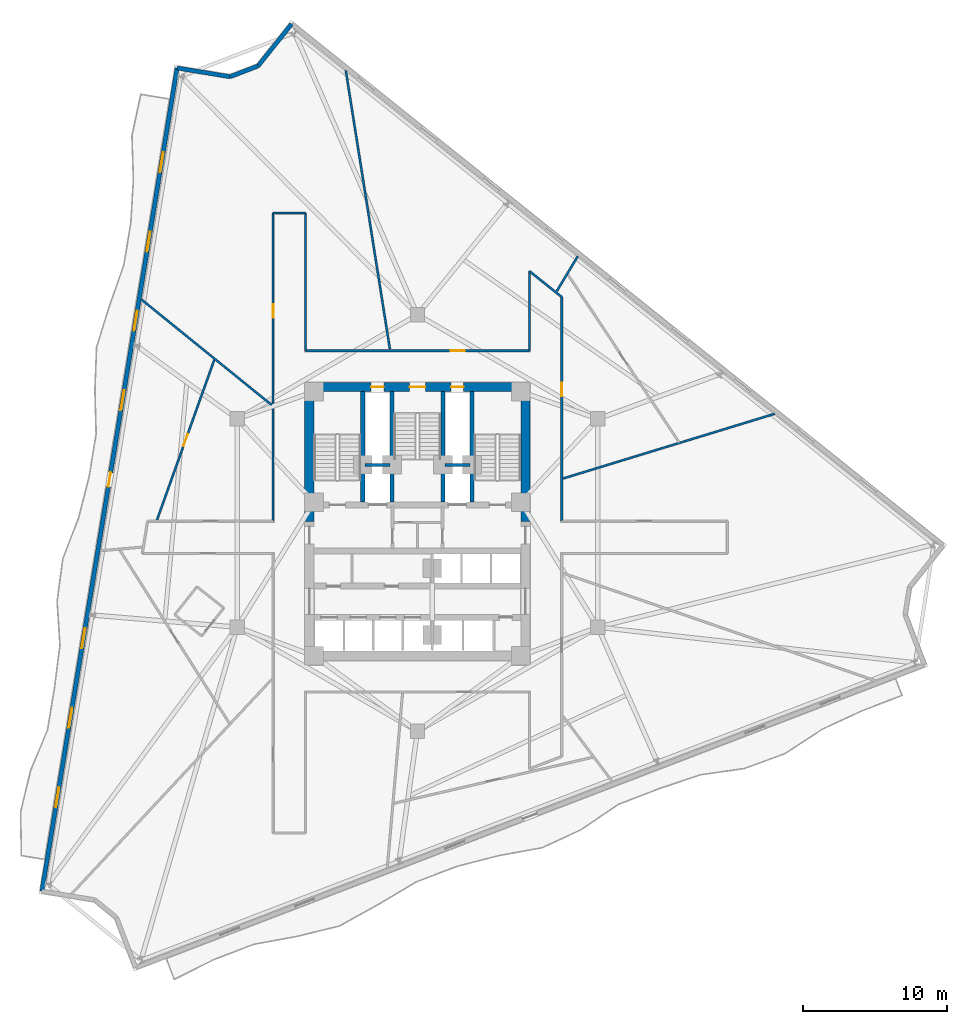
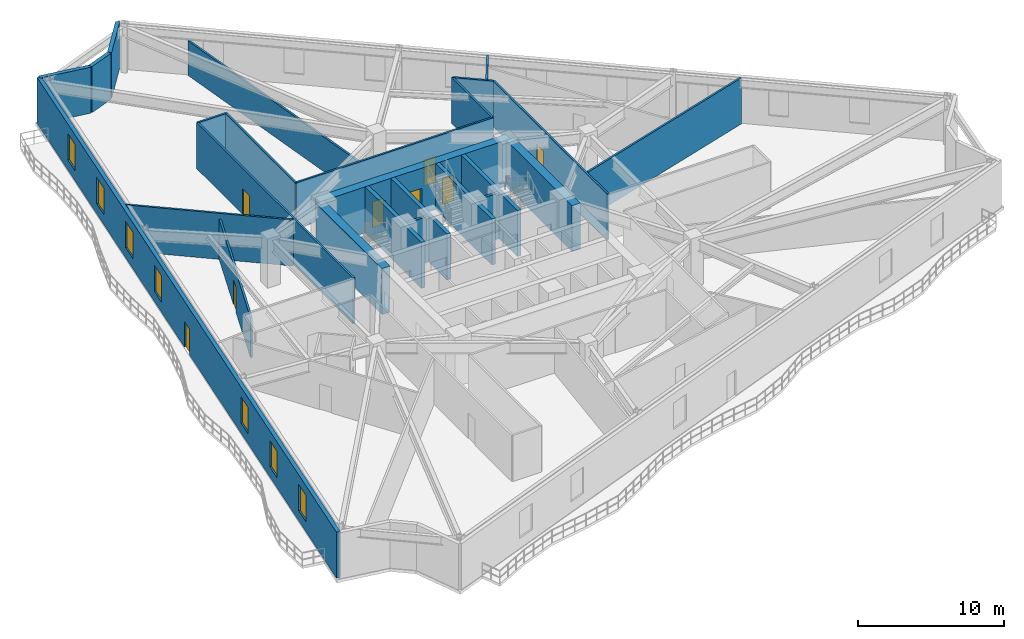
# One storey, part 6 of 10: 25 walls, 8 doors, 7 windows, 15 openings.
"""IFC4 building model written with IfcOpenShell, lengths in metres."""

from ifc_helpers import new_model, si_unit, direction, frame, frame_2d, origin, place, context, subcontext, project, spatial, rectangle, extrude, material, layer, layer_set, type_object, element, fill, save


model = new_model("IFC4")

# Units and contexts
model_context = context("Model", 3, precision=1e-05, world=origin(), true_north=direction((0.0, 1.0)))
body_context = subcontext(model_context, "Body", "Model", "MODEL_VIEW")
ifc_project = project(units=[si_unit("LENGTHUNIT", "METRE"), si_unit("AREAUNIT", "SQUARE_METRE"), si_unit("VOLUMEUNIT", "CUBIC_METRE"), si_unit("PLANEANGLEUNIT", "RADIAN"), si_unit("MASSUNIT", "GRAM", prefix="KILO")], contexts=[model_context])

# Site, building, storey
site_placement = place(None, origin())
site = spatial("IfcSite", under=ifc_project, at=site_placement, CompositionType="ELEMENT")
building_placement = place(site_placement, origin())
building = spatial("IfcBuilding", under=site, at=building_placement, Name="Apsidion Concourse Tower", CompositionType="ELEMENT")
storey_placement = place(building_placement, frame((0.0, 0.0, 144.5)))
storey = spatial("IfcBuildingStorey", under=building, at=storey_placement, Name="L33", CompositionType="ELEMENT", Elevation=144.5)

# Wall, openings, door, windows
ifc_material_1 = material(Name="Precast concrete C40/50", Category="concrete")
ifc_layer_1 = layer(ifc_material_1, 0.300048828125)
ifc_layer_set_1 = layer_set([ifc_layer_1], Name="Precast concrete C40/50")
wall_type_1 = type_object("IfcWallType", Name="WL-EXT-300", PredefinedType="STANDARD", material=ifc_layer_set_1)
wall_1_placement = place(storey_placement, frame((-26.149658203125, -25.64013671875, 0.0), z_axis=(0.0, 0.0, 1.0), x_axis=(0.161975761987, 0.986794736776, 0.0)))
wall_1 = element("IfcWall", 1, at=wall_1_placement, inside=storey, type_object=wall_type_1, Name="L33 Precast Stone Facade Wall 09", PredefinedType="STANDARD", context=body_context, shape_type="SweptSolid", body=[
    extrude(rectangle(XDim=58.093017578125, YDim=0.300048828125, at=frame_2d((29.04638671875, 0.0))), origin(), (0.0, 0.0, 1.0), 3.85009765625),
])
opening_1_placement = place(wall_1_placement, frame((28.54638671875, 0.0, 0.0)))
opening_1 = element("IfcOpeningElement", 2, at=opening_1_placement, cuts=wall_1, Name="Opening D-T1R", PredefinedType="OPENING", context=body_context, shape_type="SweptSolid", body=[
    extrude(rectangle(XDim=1.0, YDim=2.14990234375, at=frame_2d((0.5, 1.074951171875))), frame((0.0, 0.16015625, 0.0), z_axis=(0.0, -1.0, 0.0), x_axis=(1.0, 0.0, 0.0)), (0.0, 0.0, 1.0), 0.320068359375),
])
opening_2_placement = place(wall_1_placement, frame((5.946533203125, 0.0, 0.85009765625)))
opening_2 = element("IfcOpeningElement", 3, at=opening_2_placement, cuts=wall_1, Name="Opening WN-05", PredefinedType="OPENING", context=body_context, shape_type="SweptSolid", body=[
    extrude(rectangle(XDim=1.39990234375, YDim=2.199951171875, at=frame_2d((0.699951171875, 1.10009765625))), frame((0.0, 0.16015625, 0.0), z_axis=(0.0, -1.0, 0.0), x_axis=(1.0, 0.0, 0.0)), (0.0, 0.0, 1.0), 0.320068359375),
])
opening_3_placement = place(wall_1_placement, frame((11.54638671875, 0.0, 0.85009765625)))
opening_3 = element("IfcOpeningElement", 4, at=opening_3_placement, cuts=wall_1, Name="Opening WN-05", PredefinedType="OPENING", context=body_context, shape_type="SweptSolid", body=[
    extrude(rectangle(XDim=1.39990234375, YDim=2.199951171875, at=frame_2d((0.699951171875, 1.10009765625))), frame((0.0, 0.16015625, 0.0), z_axis=(0.0, -1.0, 0.0), x_axis=(1.0, 0.0, 0.0)), (0.0, 0.0, 1.0), 0.320068359375),
])
opening_4_placement = place(wall_1_placement, frame((17.146484375, 0.0, 0.85009765625)))
opening_4 = element("IfcOpeningElement", 5, at=opening_4_placement, cuts=wall_1, Name="Opening WN-05", PredefinedType="OPENING", context=body_context, shape_type="SweptSolid", body=[
    extrude(rectangle(XDim=1.39990234375, YDim=2.199951171875, at=frame_2d((0.699951171875, 1.10009765625))), frame((0.0, 0.16015625, 0.0), z_axis=(0.0, -1.0, 0.0), x_axis=(1.0, 0.0, 0.0)), (0.0, 0.0, 1.0), 0.320068359375),
])
opening_5_placement = place(wall_1_placement, frame((33.946533203125, 0.0, 0.85009765625)))
opening_5 = element("IfcOpeningElement", 6, at=opening_5_placement, cuts=wall_1, Name="Opening WN-05", PredefinedType="OPENING", context=body_context, shape_type="SweptSolid", body=[
    extrude(rectangle(XDim=1.39990234375, YDim=2.199951171875, at=frame_2d((0.699951171875, 1.10009765625))), frame((0.0, 0.16015625, 0.0), z_axis=(0.0, -1.0, 0.0), x_axis=(1.0, 0.0, 0.0)), (0.0, 0.0, 1.0), 0.320068359375),
])
opening_6_placement = place(wall_1_placement, frame((39.54638671875, 0.0, 0.85009765625)))
opening_6 = element("IfcOpeningElement", 7, at=opening_6_placement, cuts=wall_1, Name="Opening WN-05", PredefinedType="OPENING", context=body_context, shape_type="SweptSolid", body=[
    extrude(rectangle(XDim=1.39990234375, YDim=2.199951171875, at=frame_2d((0.699951171875, 1.10009765625))), frame((0.0, 0.16015625, 0.0), z_axis=(0.0, -1.0, 0.0), x_axis=(1.0, 0.0, 0.0)), (0.0, 0.0, 1.0), 0.320068359375),
])
opening_7_placement = place(wall_1_placement, frame((45.146484375, 0.0, 0.85009765625)))
opening_7 = element("IfcOpeningElement", 8, at=opening_7_placement, cuts=wall_1, Name="Opening WN-05", PredefinedType="OPENING", context=body_context, shape_type="SweptSolid", body=[
    extrude(rectangle(XDim=1.39990234375, YDim=2.199951171875, at=frame_2d((0.699951171875, 1.10009765625))), frame((0.0, 0.16015625, 0.0), z_axis=(0.0, -1.0, 0.0), x_axis=(1.0, 0.0, 0.0)), (0.0, 0.0, 1.0), 0.320068359375),
])
opening_8_placement = place(wall_1_placement, frame((50.74658203125, 0.0, 0.85009765625)))
opening_8 = element("IfcOpeningElement", 9, at=opening_8_placement, cuts=wall_1, Name="Opening WN-05", PredefinedType="OPENING", context=body_context, shape_type="SweptSolid", body=[
    extrude(rectangle(XDim=1.39990234375, YDim=2.199951171875, at=frame_2d((0.699951171875, 1.10009765625))), frame((0.0, 0.16015625, 0.0), z_axis=(0.0, -1.0, 0.0), x_axis=(1.0, 0.0, 0.0)), (0.0, 0.0, 1.0), 0.320068359375),
])
ifc_material_2 = material(Name="Anodised aluminium EN AW-6063 T6", Category="aluminium")
door_type_1 = type_object("IfcDoorType", Name="DR-TER-1022R", OperationType="SINGLE_SWING_RIGHT", PredefinedType="DOOR", material=ifc_material_2)
door_1_placement = place(opening_1_placement, origin())
door_1 = element("IfcDoor", 10, at=door_1_placement, inside=storey, type_object=door_type_1, Name="L33 Balcony Access Door 1", OperationType="SINGLE_SWING_RIGHT", OverallHeight=2.14990234375, OverallWidth=1.0, PredefinedType="DOOR", context=body_context, shape_type="SweptSolid", body=[
    extrude(rectangle(XDim=1.0, YDim=2.14990234375, at=frame_2d((0.5, 1.074951171875))), frame((0.0, 0.02490234375, 0.0), z_axis=(0.0, -1.0, 0.0), x_axis=(1.0, 0.0, 0.0)), (0.0, 0.0, 1.0), 0.050048828125),
])
fill(opening_1, door_1)
ifc_material_3 = material(Name="Insulated laminated low-E glass", Category="glass")
window_type = type_object("IfcWindowType", Name="WN-OFF-1424", PartitioningType="SINGLE_PANEL", PredefinedType="WINDOW", material=ifc_material_3)
window_1_placement = place(opening_2_placement, origin())
window_1 = element("IfcWindow", 11, at=window_1_placement, inside=storey, type_object=window_type, Name="L33 Punched Facade Window 9-01", OverallHeight=2.199951171875, OverallWidth=1.39990234375, PartitioningType="SINGLE_PANEL", PredefinedType="WINDOW", context=body_context, shape_type="SweptSolid", body=[
    extrude(rectangle(XDim=1.39990234375, YDim=2.199951171875, at=frame_2d((0.699951171875, 1.10009765625))), frame((0.0, 0.030029296875, 0.0), z_axis=(0.0, -1.0, 0.0), x_axis=(1.0, 0.0, 0.0)), (0.0, 0.0, 1.0), 0.06005859375),
])
fill(opening_2, window_1)
window_2_placement = place(opening_3_placement, origin())
window_2 = element("IfcWindow", 12, at=window_2_placement, inside=storey, type_object=window_type, Name="L33 Punched Facade Window 9-02", OverallHeight=2.199951171875, OverallWidth=1.39990234375, PartitioningType="SINGLE_PANEL", PredefinedType="WINDOW", context=body_context, shape_type="SweptSolid", body=[
    extrude(rectangle(XDim=1.39990234375, YDim=2.199951171875, at=frame_2d((0.699951171875, 1.10009765625))), frame((0.0, 0.030029296875, 0.0), z_axis=(0.0, -1.0, 0.0), x_axis=(1.0, 0.0, 0.0)), (0.0, 0.0, 1.0), 0.06005859375),
])
fill(opening_3, window_2)
window_3_placement = place(opening_4_placement, origin())
window_3 = element("IfcWindow", 13, at=window_3_placement, inside=storey, type_object=window_type, Name="L33 Punched Facade Window 9-03", OverallHeight=2.199951171875, OverallWidth=1.39990234375, PartitioningType="SINGLE_PANEL", PredefinedType="WINDOW", context=body_context, shape_type="SweptSolid", body=[
    extrude(rectangle(XDim=1.39990234375, YDim=2.199951171875, at=frame_2d((0.699951171875, 1.10009765625))), frame((0.0, 0.030029296875, 0.0), z_axis=(0.0, -1.0, 0.0), x_axis=(1.0, 0.0, 0.0)), (0.0, 0.0, 1.0), 0.06005859375),
])
fill(opening_4, window_3)
window_4_placement = place(opening_5_placement, origin())
window_4 = element("IfcWindow", 14, at=window_4_placement, inside=storey, type_object=window_type, Name="L33 Punched Facade Window 9-06", OverallHeight=2.199951171875, OverallWidth=1.39990234375, PartitioningType="SINGLE_PANEL", PredefinedType="WINDOW", context=body_context, shape_type="SweptSolid", body=[
    extrude(rectangle(XDim=1.39990234375, YDim=2.199951171875, at=frame_2d((0.699951171875, 1.10009765625))), frame((0.0, 0.030029296875, 0.0), z_axis=(0.0, -1.0, 0.0), x_axis=(1.0, 0.0, 0.0)), (0.0, 0.0, 1.0), 0.06005859375),
])
fill(opening_5, window_4)
window_5_placement = place(opening_6_placement, origin())
window_5 = element("IfcWindow", 15, at=window_5_placement, inside=storey, type_object=window_type, Name="L33 Punched Facade Window 9-07", OverallHeight=2.199951171875, OverallWidth=1.39990234375, PartitioningType="SINGLE_PANEL", PredefinedType="WINDOW", context=body_context, shape_type="SweptSolid", body=[
    extrude(rectangle(XDim=1.39990234375, YDim=2.199951171875, at=frame_2d((0.699951171875, 1.10009765625))), frame((0.0, 0.030029296875, 0.0), z_axis=(0.0, -1.0, 0.0), x_axis=(1.0, 0.0, 0.0)), (0.0, 0.0, 1.0), 0.06005859375),
])
fill(opening_6, window_5)
window_6_placement = place(opening_7_placement, origin())
window_6 = element("IfcWindow", 16, at=window_6_placement, inside=storey, type_object=window_type, Name="L33 Punched Facade Window 9-08", OverallHeight=2.199951171875, OverallWidth=1.39990234375, PartitioningType="SINGLE_PANEL", PredefinedType="WINDOW", context=body_context, shape_type="SweptSolid", body=[
    extrude(rectangle(XDim=1.39990234375, YDim=2.199951171875, at=frame_2d((0.699951171875, 1.10009765625))), frame((0.0, 0.030029296875, 0.0), z_axis=(0.0, -1.0, 0.0), x_axis=(1.0, 0.0, 0.0)), (0.0, 0.0, 1.0), 0.06005859375),
])
fill(opening_7, window_6)
window_7_placement = place(opening_8_placement, origin())
window_7 = element("IfcWindow", 17, at=window_7_placement, inside=storey, type_object=window_type, Name="L33 Punched Facade Window 9-09", OverallHeight=2.199951171875, OverallWidth=1.39990234375, PartitioningType="SINGLE_PANEL", PredefinedType="WINDOW", context=body_context, shape_type="SweptSolid", body=[
    extrude(rectangle(XDim=1.39990234375, YDim=2.199951171875, at=frame_2d((0.699951171875, 1.10009765625))), frame((0.0, 0.030029296875, 0.0), z_axis=(0.0, -1.0, 0.0), x_axis=(1.0, 0.0, 0.0)), (0.0, 0.0, 1.0), 0.06005859375),
])
fill(opening_8, window_7)

# Walls
wall_2_placement = place(storey_placement, frame((-16.739990234375, 31.685791015625, 0.0), z_axis=(0.0, 0.0, 1.0), x_axis=(0.986793455184, -0.161983569556, 0.0)))
element("IfcWall", 18, at=wall_2_placement, inside=storey, type_object=wall_type_1, Name="L33 Precast Stone Facade Wall 10", PredefinedType="STANDARD", context=body_context, shape_type="SweptSolid", body=[
    extrude(rectangle(XDim=3.73779296875, YDim=0.300048828125, at=frame_2d((1.868896484375, 0.0))), origin(), (0.0, 0.0, 1.0), 3.85009765625),
])
wall_3_placement = place(storey_placement, frame((-13.051513671875, 31.080322265625, 0.0), z_axis=(0.0, 0.0, 1.0), x_axis=(0.933582919313, 0.35836145547, 0.0)))
element("IfcWall", 19, at=wall_3_placement, inside=storey, type_object=wall_type_1, Name="L33 Precast Stone Facade Wall 11", PredefinedType="STANDARD", context=body_context, shape_type="SweptSolid", body=[
    extrude(rectangle(XDim=2.0927734375, YDim=0.300048828125, at=frame_2d((1.04638671875, 0.0))), origin(), (0.0, 0.0, 1.0), 3.85009765625),
])
wall_4_placement = place(storey_placement, frame((-11.09765625, 31.830322265625, 0.0), z_axis=(0.0, 0.0, 1.0), x_axis=(0.624949908599, 0.78066485238, 0.0)))
element("IfcWall", 20, at=wall_4_placement, inside=storey, type_object=wall_type_1, Name="L33 Precast Stone Facade Wall 12", PredefinedType="STANDARD", context=body_context, shape_type="SweptSolid", body=[
    extrude(rectangle(XDim=3.73779296875, YDim=0.300048828125, at=frame_2d((1.868896484375, 0.0))), origin(), (0.0, 0.0, 1.0), 3.85009765625),
])

# Wall, opening, door
ifc_material_4 = material(Name="Gypsum plasterboard partition")
ifc_layer_2 = layer(ifc_material_4, 0.14990234375)
ifc_layer_set_2 = layer_set([ifc_layer_2], Name="Gypsum plasterboard partition")
wall_type_2 = type_object("IfcWallType", Name="WL-INT-PAR-150", PredefinedType="PARTITIONING", material=ifc_layer_set_2)
wall_5_placement = place(storey_placement, frame((-10.050048828125, 0.1298828125, 0.0), z_axis=(0.0, 0.0, 1.0), x_axis=(0.0, 1.0, 0.0)))
wall_5 = element("IfcWall", 21, at=wall_5_placement, inside=storey, type_object=wall_type_2, Name="L33 Interior Partition WL-L33-CORR-10", PredefinedType="PARTITIONING", context=body_context, shape_type="SweptSolid", body=[
    extrude(rectangle(XDim=21.4501953125, YDim=0.14990234375, at=frame_2d((10.72509765625, 0.0))), origin(), (0.0, 0.0, 1.0), 3.85009765625),
])
opening_9_placement = place(wall_5_placement, frame((14.171142578125, 0.0, 0.0)))
opening_9 = element("IfcOpeningElement", 22, at=opening_9_placement, cuts=wall_5, Name="Opening D-01R", PredefinedType="OPENING", context=body_context, shape_type="SweptSolid", body=[
    extrude(rectangle(XDim=0.949951171875, YDim=2.14990234375, at=frame_2d((0.47509765625, 1.074951171875))), frame((0.0, 0.0849609375, 0.0), z_axis=(0.0, -1.0, 0.0), x_axis=(1.0, 0.0, 0.0)), (0.0, 0.0, 1.0), 0.169921875),
])
ifc_material_5 = material(Name="Brushed stainless steel 316", Category="steel")
door_type_2 = type_object("IfcDoorType", Name="DR-INT-D01R", OperationType="SINGLE_SWING_RIGHT", PredefinedType="DOOR", material=ifc_material_5)
door_2_placement = place(opening_9_placement, origin())
door_2 = element("IfcDoor", 23, at=door_2_placement, inside=storey, type_object=door_type_2, Name="L33 Corridor Entry Door 08", OperationType="SINGLE_SWING_RIGHT", OverallHeight=2.14990234375, OverallWidth=0.949951171875, PredefinedType="DOOR", context=body_context, shape_type="SweptSolid", body=[
    extrude(rectangle(XDim=0.949951171875, YDim=2.14990234375, at=frame_2d((0.47509765625, 1.074951171875))), frame((0.0, 0.02490234375, 0.0), z_axis=(0.0, -1.0, 0.0), x_axis=(1.0, 0.0, 0.0)), (0.0, 0.0, 1.0), 0.050048828125),
])
fill(opening_9, door_2)

# Walls
wall_6_placement = place(storey_placement, frame((-10.050048828125, 21.580078125, 0.0), z_axis=(0.0, 0.0, 1.0), x_axis=(1.0, 0.0, 0.0)))
element("IfcWall", 24, at=wall_6_placement, inside=storey, type_object=wall_type_2, Name="L33 Interior Partition WL-L33-CORR-11", PredefinedType="PARTITIONING", context=body_context, shape_type="SweptSolid", body=[
    extrude(rectangle(XDim=2.260009765625, YDim=0.14990234375, at=frame_2d((1.1298828125, 0.0))), origin(), (0.0, 0.0, 1.0), 3.85009765625),
])
wall_7_placement = place(storey_placement, frame((-7.7900390625, 21.580078125, 0.0), z_axis=(0.0, 0.0, 1.0), x_axis=(0.0, -1.0, 0.0)))
element("IfcWall", 25, at=wall_7_placement, inside=storey, type_object=wall_type_2, Name="L33 Interior Partition WL-L33-CORR-12", PredefinedType="PARTITIONING", context=body_context, shape_type="SweptSolid", body=[
    extrude(rectangle(XDim=9.580078125, YDim=0.14990234375, at=frame_2d((4.7900390625, 0.0))), origin(), (0.0, 0.0, 1.0), 3.85009765625),
])

# Wall, opening, door
wall_8_placement = place(storey_placement, frame((-7.7900390625, 12.0, 0.0), z_axis=(0.0, 0.0, 1.0), x_axis=(1.0, 0.0, 0.0)))
wall_8 = element("IfcWall", 26, at=wall_8_placement, inside=storey, type_object=wall_type_2, Name="L33 Interior Partition WL-L33-CORR-13", PredefinedType="PARTITIONING", context=body_context, shape_type="SweptSolid", body=[
    extrude(rectangle(XDim=15.580078125, YDim=0.14990234375, at=frame_2d((7.7900390625, 0.0))), origin(), (0.0, 0.0, 1.0), 3.85009765625),
])
opening_10_placement = place(wall_8_placement, frame((10.12548828125, 0.0, 0.0)))
opening_10 = element("IfcOpeningElement", 27, at=opening_10_placement, cuts=wall_8, Name="Opening D-01L", PredefinedType="OPENING", context=body_context, shape_type="SweptSolid", body=[
    extrude(rectangle(XDim=0.949951171875, YDim=2.14990234375, at=frame_2d((0.47509765625, 1.074951171875))), frame((0.0, 0.0849609375, 0.0), z_axis=(0.0, -1.0, 0.0), x_axis=(1.0, 0.0, 0.0)), (0.0, 0.0, 1.0), 0.169921875),
])
door_type_3 = type_object("IfcDoorType", Name="DR-INT-D01L", OperationType="SINGLE_SWING_LEFT", PredefinedType="DOOR", material=ifc_material_5)
door_3_placement = place(opening_10_placement, origin())
door_3 = element("IfcDoor", 28, at=door_3_placement, inside=storey, type_object=door_type_3, Name="L33 Corridor Entry Door 07", OperationType="SINGLE_SWING_LEFT", OverallHeight=2.14990234375, OverallWidth=0.949951171875, PredefinedType="DOOR", context=body_context, shape_type="SweptSolid", body=[
    extrude(rectangle(XDim=0.949951171875, YDim=2.14990234375, at=frame_2d((0.47509765625, 1.074951171875))), frame((0.0, 0.02490234375, 0.0), z_axis=(0.0, -1.0, 0.0), x_axis=(1.0, 0.0, 0.0)), (0.0, 0.0, 1.0), 0.050048828125),
])
fill(opening_10, door_3)

# Walls
wall_9_placement = place(storey_placement, frame((7.7900390625, 12.0, 0.0), z_axis=(0.0, 0.0, 1.0), x_axis=(0.0, 1.0, 0.0)))
element("IfcWall", 29, at=wall_9_placement, inside=storey, type_object=wall_type_2, Name="L33 Interior Partition WL-L33-CORR-14", PredefinedType="PARTITIONING", context=body_context, shape_type="SweptSolid", body=[
    extrude(rectangle(XDim=5.546630859375, YDim=0.14990234375, at=frame_2d((2.7734375, 0.0))), origin(), (0.0, 0.0, 1.0), 3.85009765625),
])
wall_10_placement = place(storey_placement, frame((7.7900390625, 17.546630859375, 0.0), z_axis=(0.0, 0.0, 1.0), x_axis=(0.780646621428, -0.624972681366, 0.0)))
element("IfcWall", 30, at=wall_10_placement, inside=storey, type_object=wall_type_2, Name="L33 Interior Partition WL-L33-CORR-15", PredefinedType="PARTITIONING", context=body_context, shape_type="SweptSolid", body=[
    extrude(rectangle(XDim=2.89501953125, YDim=0.14990234375, at=frame_2d((1.447509765625, 0.0))), origin(), (0.0, 0.0, 1.0), 3.85009765625),
])

# Wall, opening, door
wall_11_placement = place(storey_placement, frame((10.050048828125, 15.7373046875, 0.0), z_axis=(0.0, 0.0, 1.0), x_axis=(0.0, -1.0, 0.0)))
wall_11 = element("IfcWall", 31, at=wall_11_placement, inside=storey, type_object=wall_type_2, Name="L33 Interior Partition WL-L33-CORR-16", PredefinedType="PARTITIONING", context=body_context, shape_type="SweptSolid", body=[
    extrude(rectangle(XDim=15.607421875, YDim=0.14990234375, at=frame_2d((7.8037109375, 0.0))), origin(), (0.0, 0.0, 1.0), 3.85009765625),
])
opening_11_placement = place(wall_11_placement, frame((5.970947265625, 0.0, 0.0)))
opening_11 = element("IfcOpeningElement", 32, at=opening_11_placement, cuts=wall_11, Name="Opening D-01R", PredefinedType="OPENING", context=body_context, shape_type="SweptSolid", body=[
    extrude(rectangle(XDim=0.949951171875, YDim=2.14990234375, at=frame_2d((0.47509765625, 1.074951171875))), frame((0.0, 0.0849609375, 0.0), z_axis=(0.0, -1.0, 0.0), x_axis=(1.0, 0.0, 0.0)), (0.0, 0.0, 1.0), 0.169921875),
])
door_4_placement = place(opening_11_placement, origin())
door_4 = element("IfcDoor", 33, at=door_4_placement, inside=storey, type_object=door_type_2, Name="L33 Corridor Entry Door 06", OperationType="SINGLE_SWING_RIGHT", OverallHeight=2.14990234375, OverallWidth=0.949951171875, PredefinedType="DOOR", context=body_context, shape_type="SweptSolid", body=[
    extrude(rectangle(XDim=0.949951171875, YDim=2.14990234375, at=frame_2d((0.47509765625, 1.074951171875))), frame((0.0, 0.02490234375, 0.0), z_axis=(0.0, -1.0, 0.0), x_axis=(1.0, 0.0, 0.0)), (0.0, 0.0, 1.0), 0.050048828125),
])
fill(opening_11, door_4)

# Walls
wall_12_placement = place(storey_placement, frame((10.155029296875, 3.104736328125, 0.0), z_axis=(0.0, 0.0, 1.0), x_axis=(0.956304415169, 0.292372819408, 0.0)))
element("IfcWall", 34, at=wall_12_placement, inside=storey, type_object=wall_type_2, Name="L33 Interior Partition WL-L33-RAD-01-1", PredefinedType="PARTITIONING", context=body_context, shape_type="SweptSolid", body=[
    extrude(rectangle(XDim=15.397216796875, YDim=0.14990234375, at=frame_2d((7.69873046875, 0.0))), origin(), (0.0, 0.0, 1.0), 3.85009765625),
])
wall_13_placement = place(storey_placement, frame((9.70361328125, 16.1494140625, 0.0), z_axis=(0.0, 0.0, 1.0), x_axis=(0.515051836846, 0.857159031547, 0.0)))
element("IfcWall", 35, at=wall_13_placement, inside=storey, type_object=wall_type_2, Name="L33 Interior Partition WL-L33-RAD-02-2", PredefinedType="PARTITIONING", context=body_context, shape_type="SweptSolid", body=[
    extrude(rectangle(XDim=2.84033203125, YDim=0.14990234375, at=frame_2d((1.420166015625, 0.0))), origin(), (0.0, 0.0, 1.0), 3.85009765625),
])
wall_14_placement = place(storey_placement, frame((-1.917236328125, 12.10498046875, 0.0), z_axis=(0.0, 0.0, 1.0), x_axis=(-0.156433889955, 0.98768843168, 0.0)))
element("IfcWall", 36, at=wall_14_placement, inside=storey, type_object=wall_type_2, Name="L33 Interior Partition WL-L33-RAD-03-1", PredefinedType="PARTITIONING", context=body_context, shape_type="SweptSolid", body=[
    extrude(rectangle(XDim=19.656494140625, YDim=0.14990234375, at=frame_2d((9.828125, 0.0))), origin(), (0.0, 0.0, 1.0), 2.89794921875),
])
wall_15_placement = place(storey_placement, frame((-10.155029296875, 8.223388671875, 0.0), z_axis=(0.0, 0.0, 1.0), x_axis=(-0.777144444288, 0.629322264593, 0.0)))
element("IfcWall", 37, at=wall_15_placement, inside=storey, type_object=wall_type_2, Name="L33 Interior Partition WL-L33-RAD-04-1", PredefinedType="PARTITIONING", context=body_context, shape_type="SweptSolid", body=[
    extrude(rectangle(XDim=11.66357421875, YDim=0.14990234375, at=frame_2d((5.831787109375, 0.0))), origin(), (0.0, 0.0, 1.0), 3.85009765625),
])

# Wall, opening, door
wall_16_placement = place(storey_placement, frame((-14.132568359375, 11.412109375, 0.0), z_axis=(0.0, 0.0, 1.0), x_axis=(-0.336734629302, -0.941599590818, 0.0)))
wall_16 = element("IfcWall", 38, at=wall_16_placement, inside=storey, type_object=wall_type_2, Name="L33 Interior Partition WL-L33-CHD-OFS08", PredefinedType="PARTITIONING", context=body_context, shape_type="SweptSolid", body=[
    extrude(rectangle(XDim=11.960693359375, YDim=0.14990234375, at=frame_2d((5.98046875, 0.0))), origin(), (0.0, 0.0, 1.0), 3.366943359375),
])
opening_12_placement = place(wall_16_placement, frame((5.5302734375, 0.0, 0.0)))
opening_12 = element("IfcOpeningElement", 39, at=opening_12_placement, cuts=wall_16, Name="Opening D-02L", PredefinedType="OPENING", context=body_context, shape_type="SweptSolid", body=[
    extrude(rectangle(XDim=0.89990234375, YDim=2.10009765625, at=frame_2d((0.449951171875, 1.050048828125))), frame((0.0, 0.0849609375, 0.0), z_axis=(0.0, -1.0, 0.0), x_axis=(1.0, 0.0, 0.0)), (0.0, 0.0, 1.0), 0.169921875),
])
door_type_4 = type_object("IfcDoorType", Name="DR-INT-D02L", OperationType="SINGLE_SWING_LEFT", PredefinedType="DOOR", material=ifc_material_2)
door_5_placement = place(opening_12_placement, origin())
door_5 = element("IfcDoor", 40, at=door_5_placement, inside=storey, type_object=door_type_4, Name="L33 Suite Connecting Door OFS08", OperationType="SINGLE_SWING_LEFT", OverallHeight=2.10009765625, OverallWidth=0.89990234375, PredefinedType="DOOR", context=body_context, shape_type="SweptSolid", body=[
    extrude(rectangle(XDim=0.89990234375, YDim=2.10009765625, at=frame_2d((0.449951171875, 1.050048828125))), frame((0.0, 0.02490234375, 0.0), z_axis=(0.0, -1.0, 0.0), x_axis=(1.0, 0.0, 0.0)), (0.0, 0.0, 1.0), 0.050048828125),
])
fill(opening_12, door_5)

# Walls
ifc_layer_3 = layer(ifc_material_4, 0.199951171875)
ifc_layer_set_3 = layer_set([ifc_layer_3], Name="Gypsum plasterboard partition")
wall_type_3 = type_object("IfcWallType", Name="WL-INT-PAR-200", PredefinedType="PARTITIONING", material=ifc_layer_set_3)
for number, where, z_axis, x_axis, name in (
    (41, (-3.64990234375, 4.050048828125, 0.0), (0.0, 0.0, 1.0), (1.0, 0.0, 0.0), "L33 Interior Partition WL-L33-FF1-N"),
    (42, (1.919921875, 4.050048828125, 0.0), (0.0, 0.0, 1.0), (1.0, 0.0, 0.0), "L33 Interior Partition WL-L33-FF2-N"),
):
    element("IfcWall", number, at=place(storey_placement, frame(where, z_axis=z_axis, x_axis=x_axis)), inside=storey, type_object=wall_type_3, Name=name, PredefinedType="PARTITIONING", context=body_context, shape_type="SweptSolid", body=[
        extrude(rectangle(XDim=1.72998046875, YDim=0.199951171875, at=frame_2d((0.864990234375, 0.0))), origin(), (0.0, 0.0, 1.0), 3.85009765625),
    ])
ifc_material_6 = material(Name="Concrete C50/60", Category="concrete")
ifc_layer_4 = layer(ifc_material_6, 0.300048828125)
ifc_layer_set_4 = layer_set([ifc_layer_4], Name="Concrete C50/60")
wall_type_4 = type_object("IfcWallType", Name="WL-SH-300", PredefinedType="SHEAR", material=ifc_layer_set_4)
for number, where, z_axis, x_axis, name in (
    (43, (-3.800048828125, 1.449951171875, 0.0), (0.0, 0.0, 1.0), (0.0, 1.0, 0.0), "L33 Central Core Shear Wall V1"),
    (44, (-1.77490234375, 1.449951171875, 0.0), (0.0, 0.0, 1.0), (0.0, 1.0, 0.0), "L33 Central Core Shear Wall V2"),
    (45, (1.77490234375, 1.449951171875, 0.0), (0.0, 0.0, 1.0), (0.0, 1.0, 0.0), "L33 Central Core Shear Wall V3"),
    (46, (3.800048828125, 1.449951171875, 0.0), (0.0, 0.0, 1.0), (0.0, 1.0, 0.0), "L33 Central Core Shear Wall V4"),
):
    element("IfcWall", number, at=place(storey_placement, frame(where, z_axis=z_axis, x_axis=x_axis)), inside=storey, type_object=wall_type_4, Name=name, PredefinedType="SHEAR", context=body_context, shape_type="SweptSolid", body=[
        extrude(rectangle(XDim=7.699951171875, YDim=0.300048828125, at=frame_2d((3.85009765625, 0.0))), origin(), (0.0, 0.0, 1.0), 3.85009765625),
    ])

# Wall, openings, doors
ifc_layer_5 = layer(ifc_material_6, 0.64990234375)
ifc_layer_set_5 = layer_set([ifc_layer_5], Name="Concrete C50/60")
wall_type_5 = type_object("IfcWallType", Name="WL-SH-650", PredefinedType="SHEAR", material=ifc_layer_set_5)
wall_17_placement = place(storey_placement, frame((-7.52490234375, 9.47509765625, 0.0), z_axis=(0.0, 0.0, 1.0), x_axis=(1.0, 0.0, 0.0)))
wall_17 = element("IfcWall", 47, at=wall_17_placement, inside=storey, type_object=wall_type_5, Name="L33 Central Core Shear Wall N", PredefinedType="SHEAR", context=body_context, shape_type="SweptSolid", body=[
    extrude(rectangle(XDim=15.0498046875, YDim=0.64990234375, at=frame_2d((7.52490234375, 0.0))), origin(), (0.0, 0.0, 1.0), 3.85009765625),
])
opening_13_placement = place(wall_17_placement, frame((6.97509765625, 0.0, 0.0)))
opening_13 = element("IfcOpeningElement", 48, at=opening_13_placement, cuts=wall_17, Name="Opening D-STL", PredefinedType="OPENING", context=body_context, shape_type="SweptSolid", body=[
    extrude(rectangle(XDim=1.10009765625, YDim=2.14990234375, at=frame_2d((0.550048828125, 1.074951171875))), frame((0.0, 0.3349609375, 0.0), z_axis=(0.0, -1.0, 0.0), x_axis=(1.0, 0.0, 0.0)), (0.0, 0.0, 1.0), 0.669921875),
])
opening_14_placement = place(wall_17_placement, frame((4.304931640625, 0.0, 0.0)))
opening_14 = element("IfcOpeningElement", 49, at=opening_14_placement, cuts=wall_17, Name="Opening D-05L", PredefinedType="OPENING", context=body_context, shape_type="SweptSolid", body=[
    extrude(rectangle(XDim=0.8798828125, YDim=2.14990234375, at=frame_2d((0.43994140625, 1.074951171875))), frame((0.0, 0.3349609375, 0.0), z_axis=(0.0, -1.0, 0.0), x_axis=(1.0, 0.0, 0.0)), (0.0, 0.0, 1.0), 0.669921875),
])
opening_15_placement = place(wall_17_placement, frame((9.864990234375, 0.0, 0.0)))
opening_15 = element("IfcOpeningElement", 50, at=opening_15_placement, cuts=wall_17, Name="Opening D-05R", PredefinedType="OPENING", context=body_context, shape_type="SweptSolid", body=[
    extrude(rectangle(XDim=0.8798828125, YDim=2.14990234375, at=frame_2d((0.43994140625, 1.074951171875))), frame((0.0, 0.3349609375, 0.0), z_axis=(0.0, -1.0, 0.0), x_axis=(1.0, 0.0, 0.0)), (0.0, 0.0, 1.0), 0.669921875),
])
door_type_5 = type_object("IfcDoorType", Name="DR-INT-D05L", OperationType="SINGLE_SWING_LEFT", PredefinedType="DOOR", material=ifc_material_5)
door_6_placement = place(opening_14_placement, origin())
door_6 = element("IfcDoor", 51, at=door_6_placement, inside=storey, type_object=door_type_5, Name="L33 Electrical Riser Shaft Access Door", OperationType="SINGLE_SWING_LEFT", OverallHeight=2.14990234375, OverallWidth=0.8798828125, PredefinedType="DOOR", context=body_context, shape_type="SweptSolid", body=[
    extrude(rectangle(XDim=0.8798828125, YDim=2.14990234375, at=frame_2d((0.43994140625, 1.074951171875))), frame((0.0, 0.02490234375, 0.0), z_axis=(0.0, -1.0, 0.0), x_axis=(1.0, 0.0, 0.0)), (0.0, 0.0, 1.0), 0.050048828125),
])
fill(opening_14, door_6)
door_type_6 = type_object("IfcDoorType", Name="DR-INT-D05R", OperationType="SINGLE_SWING_RIGHT", PredefinedType="DOOR", material=ifc_material_5)
door_7_placement = place(opening_15_placement, origin())
door_7 = element("IfcDoor", 52, at=door_7_placement, inside=storey, type_object=door_type_6, Name="L33 Mechanical Riser Shaft Access Door", OperationType="SINGLE_SWING_RIGHT", OverallHeight=2.14990234375, OverallWidth=0.8798828125, PredefinedType="DOOR", context=body_context, shape_type="SweptSolid", body=[
    extrude(rectangle(XDim=0.8798828125, YDim=2.14990234375, at=frame_2d((0.43994140625, 1.074951171875))), frame((0.0, 0.02490234375, 0.0), z_axis=(0.0, -1.0, 0.0), x_axis=(1.0, 0.0, 0.0)), (0.0, 0.0, 1.0), 0.050048828125),
])
fill(opening_15, door_7)
door_type_7 = type_object("IfcDoorType", Name="DR-INT-ST1L", OperationType="SINGLE_SWING_LEFT", PredefinedType="DOOR", material=ifc_material_5)
door_8_placement = place(opening_13_placement, origin())
door_8 = element("IfcDoor", 53, at=door_8_placement, inside=storey, type_object=door_type_7, Name="L33 Core Exit Stair ST3 Door", OperationType="SINGLE_SWING_LEFT", OverallHeight=2.14990234375, OverallWidth=1.10009765625, PredefinedType="DOOR", context=body_context, shape_type="SweptSolid", body=[
    extrude(rectangle(XDim=1.10009765625, YDim=2.14990234375, at=frame_2d((0.550048828125, 1.074951171875))), frame((0.0, 0.02490234375, 0.0), z_axis=(0.0, -1.0, 0.0), x_axis=(1.0, 0.0, 0.0)), (0.0, 0.0, 1.0), 0.050048828125),
])
fill(opening_13, door_8)

# Walls
for number, where, z_axis, x_axis, name in (
    (54, (-7.52490234375, 0.10009765625, 0.0), (0.0, 0.0, 1.0), (0.0, 1.0, 0.0), "L33 Central Core Shear Wall WN"),
    (55, (7.52490234375, 0.10009765625, 0.0), (0.0, 0.0, 1.0), (0.0, 1.0, 0.0), "L33 Central Core Shear Wall EN"),
):
    element("IfcWall", number, at=place(storey_placement, frame(where, z_axis=z_axis, x_axis=x_axis)), inside=storey, type_object=wall_type_5, Name=name, PredefinedType="SHEAR", context=body_context, shape_type="SweptSolid", body=[
        extrude(rectangle(XDim=9.0498046875, YDim=0.64990234375, at=frame_2d((4.52490234375, 0.0))), origin(), (0.0, 0.0, 1.0), 3.85009765625),
    ])

save(model, "model.ifc")
